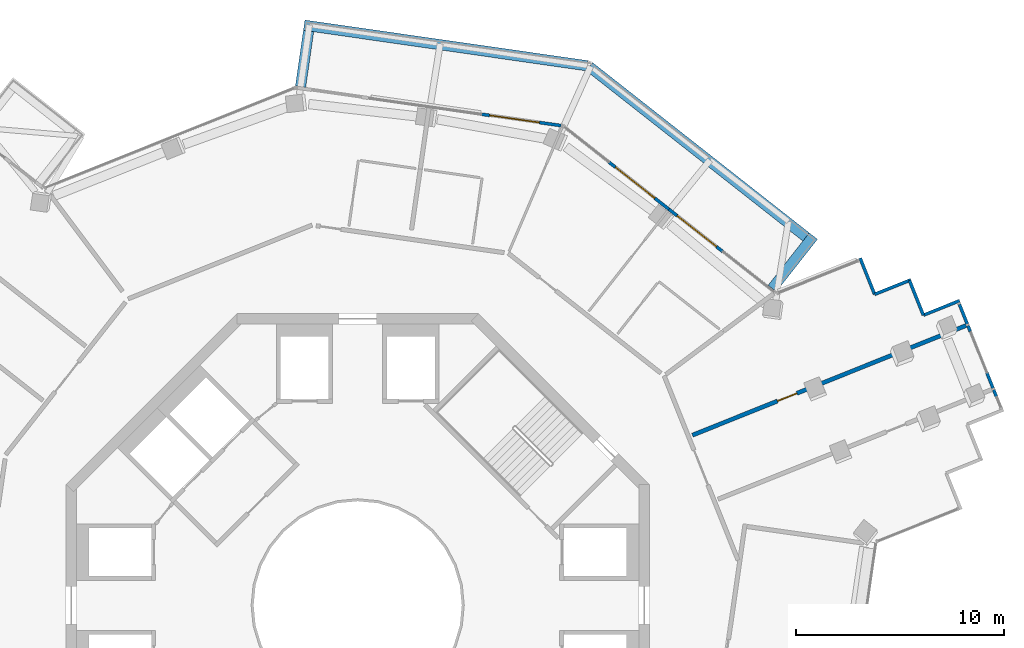
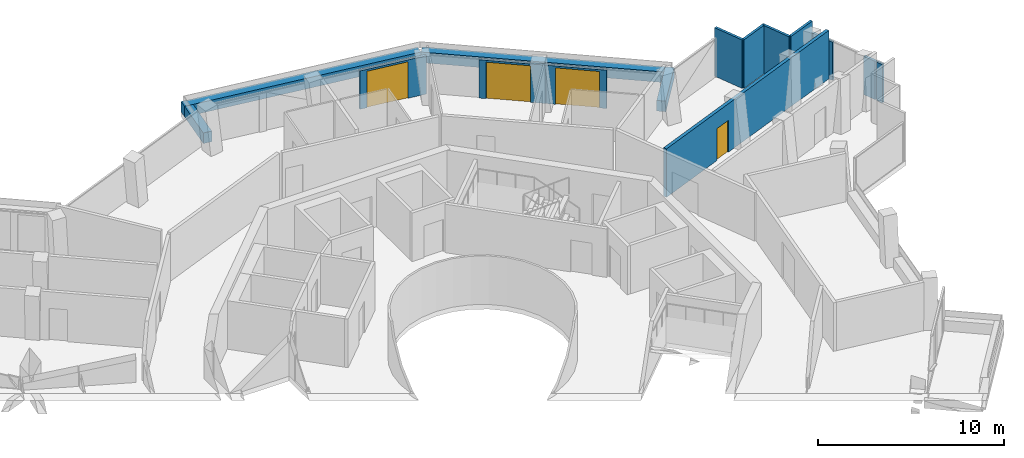
# One storey, part 20 of 23: 16 walls, 4 doors, 4 openings.
"""IFC4 building model written with IfcOpenShell, lengths in metres."""

import ifcopenshell
import ifcopenshell.guid

model = None  # the IFC model being written
_history = None  # IfcOwnerHistory: only IFC2X3 demands one
_inside = {}  # id of a spatial element -> (the spatial element, [elements in it])
_under = {}  # id of a project, library or spatial element -> (it, [spatial elements below it])
_declared = {}  # id of a project -> (the project, [libraries it declares])
_typed = {}  # id of a type object -> (the type object, [elements of that type])
_made_of = {}  # id of a material, layer set ... -> (it, [elements and type objects made of it])


def new_model(schema):
    """Start an empty IFC model of exactly this schema.

    Asked for "IFC4X3", IfcOpenShell would pick the latest addendum, in which some entities
    have other attributes; the version numbers below select the first issue.
    IFC2X3 requires an IfcOwnerHistory on every rooted entity: one is made here for all.
    """
    global model, _history
    if schema == "IFC4X3":
        model = ifcopenshell.file(schema_version=(4, 3, 0, 0))
    else:
        model = ifcopenshell.file(schema=schema)
    _inside.clear()
    _under.clear()
    _declared.clear()
    _typed.clear()
    _made_of.clear()
    _history = None
    if model.schema == "IFC2X3":
        org = make("IfcOrganization", Name="unknown")
        user = make(
            "IfcPersonAndOrganization",
            ThePerson=make("IfcPerson", FamilyName="unknown"),
            TheOrganization=org,
        )
        app = make(
            "IfcApplication",
            ApplicationDeveloper=org,
            Version="unknown",
            ApplicationFullName="unknown",
            ApplicationIdentifier="unknown",
        )
        _history = make(
            "IfcOwnerHistory",
            OwningUser=user,
            OwningApplication=app,
            ChangeAction="ADDED",
            CreationDate=0,
        )
    return model


def make(cls, **values):
    """One entity of the class cls with the attributes given. An attribute that is None is left unset."""
    return model.create_entity(
        cls, **{name: value for name, value in values.items() if value is not None}
    )


def rooted(cls, **values):
    """An entity with a GlobalId (a new one), such as an element, a storey or a relation."""
    return make(cls, GlobalId=ifcopenshell.guid.new(), OwnerHistory=_history, **values)


def si_unit(unit_type, name, prefix=None):
    """IfcSIUnit, for example si_unit("LENGTHUNIT", "METRE", prefix="MILLI")."""
    return make("IfcSIUnit", UnitType=unit_type, Prefix=prefix, Name=name)


def assignment(units):
    """IfcUnitAssignment: the units of a project."""
    return None if units is None else make("IfcUnitAssignment", Units=units)


def point(xyz):
    """IfcCartesianPoint."""
    return None if xyz is None else make("IfcCartesianPoint", Coordinates=xyz)


def direction(xyz):
    """IfcDirection."""
    return None if xyz is None else make("IfcDirection", DirectionRatios=xyz)


def frame(location, z_axis=None, x_axis=None):
    """IfcAxis2Placement3D, a coordinate frame: its origin and axes. An axis left out is left unset."""
    return make(
        "IfcAxis2Placement3D",
        Location=point(location),
        Axis=direction(z_axis),
        RefDirection=direction(x_axis),
    )


def frame_2d(location, x_axis=None):
    """IfcAxis2Placement2D, a coordinate frame in the plane: its origin and x axis."""
    return make(
        "IfcAxis2Placement2D", Location=point(location), RefDirection=direction(x_axis)
    )


def origin():
    """The frame at (0, 0, 0) with its axes left unset."""
    return frame((0.0, 0.0, 0.0))


def place(relative_to, where):
    """IfcLocalPlacement: puts the frame where relative to a parent placement (None: the world)."""
    return make(
        "IfcLocalPlacement", PlacementRelTo=relative_to, RelativePlacement=where
    )


def context(
    kind, dimensions, precision=None, world=None, true_north=None, identifier=None
):
    """IfcGeometricRepresentationContext, for example the 3D "Model" context."""
    return make(
        "IfcGeometricRepresentationContext",
        ContextIdentifier=identifier,
        ContextType=kind,
        CoordinateSpaceDimension=dimensions,
        Precision=precision,
        WorldCoordinateSystem=world,
        TrueNorth=true_north,
    )


def subcontext(parent, identifier, kind, view, scale=None):
    """IfcGeometricRepresentationSubContext, for example "Body" below "Model"."""
    return make(
        "IfcGeometricRepresentationSubContext",
        ContextIdentifier=identifier,
        ContextType=kind,
        ParentContext=parent,
        TargetScale=scale,
        TargetView=view,
    )


def project(units=None, contexts=None):
    """IfcProject with its units and contexts."""
    return rooted(
        "IfcProject",
        Name="project",
        RepresentationContexts=contexts,
        UnitsInContext=assignment(units),
    )


def spatial(cls, under=None, at=None, **own):
    """A site, building, storey or space (cls), placed at a placement, below another one or the project."""
    s = rooted(cls, ObjectPlacement=at, **own)
    if under is not None:
        _under.setdefault(under.id(), (under, []))[1].append(s)
    return s


def profile(cls, at=None, kind="AREA", **sizes):
    """A parametric profile (cls). Its sizes go by their IFC names, for example OverallWidth=200.0."""
    return make(cls, ProfileType=kind, Position=at, **sizes)


def rectangle(**sizes):
    """IfcRectangleProfileDef."""
    return profile("IfcRectangleProfileDef", **sizes)


def extrude(swept, where, along, depth):
    """IfcExtrudedAreaSolid: the profile swept, set in the frame where, extruded along a direction by depth."""
    return make(
        "IfcExtrudedAreaSolid",
        SweptArea=swept,
        Position=where,
        ExtrudedDirection=direction(along),
        Depth=depth,
    )


def shape(context_of_items, identifier, shape_type, items):
    """IfcShapeRepresentation: the items that make up one representation, for example the "Body"."""
    return make(
        "IfcShapeRepresentation",
        ContextOfItems=context_of_items,
        RepresentationIdentifier=identifier,
        RepresentationType=shape_type,
        Items=items,
    )


def material(Name=None, Category=None):
    """IfcMaterial."""
    return make("IfcMaterial", Name=Name, Category=Category)


def layer(
    of_material, thickness, ventilated=None, Name=None, Category=None, Priority=None
):
    """IfcMaterialLayer: one layer of a wall or slab, of a material (None: an air gap)."""
    return make(
        "IfcMaterialLayer",
        Material=of_material,
        LayerThickness=thickness,
        IsVentilated=ventilated,
        Name=Name,
        Category=Category,
        Priority=Priority,
    )


def layer_set(layers, Name=None):
    """IfcMaterialLayerSet."""
    return make("IfcMaterialLayerSet", MaterialLayers=layers, LayerSetName=Name)


def made_of(thing, what):
    """Note that an element or type object is made of a material, layer set ...; save() writes the relation."""
    if what is not None:
        _made_of.setdefault(what.id(), (what, []))[1].append(thing)
    return thing


def type_object(cls, material=None, **own):
    """A type object (cls), such as IfcWallType, which elements share."""
    return made_of(rooted(cls, **own), material)


def element(
    cls,
    number,
    at=None,
    inside=None,
    cuts=None,
    type_object=None,
    material=None,
    context=None,
    identifier="Body",
    shape_type=None,
    held_by="IfcProductDefinitionShape",
    body=None,
    shapes=None,
    **own,
):
    """One element of the class cls, such as IfcWall. Its Tag is "e" and its number.

    at: its placement. inside: the storey or other place that contains it. cuts: it is an
    opening in that element (IfcRelVoidsElement). A single representation is given by context,
    identifier, shape_type and body (its items); several are given by shapes. held_by: the class
    of the entity that holds the representations. save() writes the other relations.
    """
    e = rooted(cls, Tag="e%d" % number, ObjectPlacement=at, **own)
    if body is not None:
        shapes = [shape(context, identifier, shape_type, body)]
    if shapes is not None:
        e.Representation = make(held_by, Representations=shapes)
    if inside is not None:
        _inside.setdefault(inside.id(), (inside, []))[1].append(e)
    if cuts is not None:
        rooted(
            "IfcRelVoidsElement", RelatingBuildingElement=cuts, RelatedOpeningElement=e
        )
    if type_object is not None:
        _typed.setdefault(type_object.id(), (type_object, []))[1].append(e)
    return made_of(e, material)


def fill(opening, filler):
    """IfcRelFillsElement: the door or window that sits in an opening."""
    return rooted(
        "IfcRelFillsElement",
        RelatingOpeningElement=opening,
        RelatedBuildingElement=filler,
    )


def aggregate(whole, parts):
    """IfcRelAggregates: a whole, such as a stair, and the parts it consists of."""
    return rooted("IfcRelAggregates", RelatingObject=whole, RelatedObjects=parts)


def save(model, path):
    """Write the relations noted so far, then the file.

    IfcRelAggregates (storeys below a building ...), IfcRelContainedInSpatialStructure (elements
    in a storey), IfcRelDefinesByType, IfcRelAssociatesMaterial and IfcRelDeclares: one each for
    every whole, place, type object, material and project.
    """
    for whole, parts in _under.values():
        aggregate(whole, parts)
    for where, things in _inside.values():
        rooted(
            "IfcRelContainedInSpatialStructure",
            RelatedElements=things,
            RelatingStructure=where,
        )
    for kind, things in _typed.values():
        rooted("IfcRelDefinesByType", RelatedObjects=things, RelatingType=kind)
    for what, things in _made_of.values():
        rooted("IfcRelAssociatesMaterial", RelatedObjects=things, RelatingMaterial=what)
    for by, libraries in _declared.values():
        rooted("IfcRelDeclares", RelatingContext=by, RelatedDefinitions=libraries)
    model.write(path)


model = new_model("IFC4")

# Units and contexts
model_context = context("Model", 3, precision=1e-05, world=origin(), true_north=direction((0.0, 1.0)))
body_context = subcontext(model_context, "Body", "Model", "MODEL_VIEW")
ifc_project = project(units=[si_unit("LENGTHUNIT", "METRE"), si_unit("AREAUNIT", "SQUARE_METRE"), si_unit("VOLUMEUNIT", "CUBIC_METRE"), si_unit("PLANEANGLEUNIT", "RADIAN"), si_unit("MASSUNIT", "GRAM", prefix="KILO")], contexts=[model_context])

# Site, building, storey
site_placement = place(None, origin())
site = spatial("IfcSite", under=ifc_project, at=site_placement, CompositionType="ELEMENT")
building_placement = place(site_placement, origin())
building = spatial("IfcBuilding", under=site, at=building_placement, Name="Verdalira Terraces Hotel", CompositionType="ELEMENT")
storey_placement = place(building_placement, frame((0.0, 0.0, 244.5)))
storey = spatial("IfcBuildingStorey", under=building, at=storey_placement, Name="L60", CompositionType="ELEMENT", Elevation=244.5)

# Walls
ifc_material_1 = material(Name="Concrete C40", Category="concrete")
ifc_layer_1 = layer(ifc_material_1, 0.5)
ifc_layer_set_1 = layer_set([ifc_layer_1], Name="Balcony planter trough with tree")
wall_type_1 = type_object("IfcWallType", Name="Balcony planter trough with tree", PredefinedType="SOLIDWALL", material=ifc_layer_set_1)
wall_1_placement = place(storey_placement, frame((19.903076, 15.213135, 0.0), z_axis=(0.0, 0.0, 1.0), x_axis=(0.617858626, 0.786289208, 0.0)))
element("IfcWall", 1, at=wall_1_placement, inside=storey, type_object=wall_type_1, Name="Balcony planter", PredefinedType="SOLIDWALL", context=body_context, shape_type="SweptSolid", body=[
    extrude(rectangle(XDim=3.198975, YDim=0.5, at=frame_2d((1.599609, 0.0))), origin(), (0.0, 0.0, 1.0), 0.699951),
])
wall_2_placement = place(storey_placement, frame((21.528564, 17.686523, 0.0), z_axis=(0.0, 0.0, 1.0), x_axis=(-0.78629143, 0.617855798, 0.0)))
element("IfcWall", 2, at=wall_2_placement, inside=storey, type_object=wall_type_1, Name="Balcony planter", PredefinedType="SOLIDWALL", context=body_context, shape_type="SweptSolid", body=[
    extrude(rectangle(XDim=13.223389, YDim=0.5, at=frame_2d((6.611816, 0.0))), origin(), (0.0, 0.0, 1.0), 0.699951),
])
wall_3_placement = place(storey_placement, frame((11.012207, 25.907471, 0.0), z_axis=(0.0, 0.0, 1.0), x_axis=(-0.98987428, 0.141946855, 0.0)))
element("IfcWall", 3, at=wall_3_placement, inside=storey, type_object=wall_type_1, Name="Balcony planter", PredefinedType="SOLIDWALL", context=body_context, shape_type="SweptSolid", body=[
    extrude(rectangle(XDim=13.723389, YDim=0.5, at=frame_2d((6.861816, 0.0))), origin(), (0.0, 0.0, 1.0), 0.699951),
])
wall_4_placement = place(storey_placement, frame((-2.360352, 27.57251, 0.0), z_axis=(0.0, 0.0, 1.0), x_axis=(-0.1419279, -0.989876998, 0.0)))
element("IfcWall", 4, at=wall_4_placement, inside=storey, type_object=wall_type_1, Name="Balcony planter", PredefinedType="SOLIDWALL", context=body_context, shape_type="SweptSolid", body=[
    extrude(rectangle(XDim=2.698975, YDim=0.5, at=frame_2d((1.349609, 0.0))), origin(), (0.0, 0.0, 1.0), 0.699951),
])

# Wall, opening, door
ifc_material_2 = material(Name="Fire-rated gypsum board wall")
ifc_layer_2 = layer(ifc_material_2, 0.199951171875)
ifc_layer_set_2 = layer_set([ifc_layer_2], Name="Demising wall 200 mm")
wall_type_2 = type_object("IfcWallType", Name="Demising wall 200 mm", PredefinedType="SOLIDWALL", material=ifc_layer_set_2)
wall_5_placement = place(storey_placement, frame((16.072754, 8.169678, 0.0), z_axis=(0.0, 0.0, 1.0), x_axis=(0.928226792, 0.372014816, 0.0)))
wall_5 = element("IfcWall", 5, at=wall_5_placement, inside=storey, type_object=wall_type_2, Name="Demising wall", PredefinedType="SOLIDWALL", context=body_context, shape_type="SweptSolid", body=[
    extrude(rectangle(XDim=14.160889, YDim=0.199951, at=frame_2d((7.080566, 0.0))), origin(), (0.0, 0.0, 1.0), 3.189941),
])
opening_1_placement = place(wall_5_placement, frame((4.399902, 0.0, 0.0)))
opening_1 = element("IfcOpeningElement", 6, at=opening_1_placement, cuts=wall_5, Name="Opening L60-121", PredefinedType="OPENING", context=body_context, shape_type="SweptSolid", body=[
    extrude(rectangle(XDim=1.0, YDim=2.100098, at=frame_2d((0.5, 1.050049))), frame((0.0, 0.109863, 0.0), z_axis=(0.0, -1.0, 0.0), x_axis=(1.0, 0.0, 0.0)), (0.0, 0.0, 1.0), 0.219971),
])
ifc_material_3 = material(Name="Timber fire door", Category="wood")
door_type_1 = type_object("IfcDoorType", Name="Public room door 1000 x 2100", OperationType="NOTDEFINED", PredefinedType="DOOR", material=ifc_material_3)
door_1_placement = place(opening_1_placement, origin())
door_1 = element("IfcDoor", 7, at=door_1_placement, inside=storey, type_object=door_type_1, Name="Public room door 6008", OperationType="SINGLE_SWING_LEFT", OverallHeight=2.10009765625, OverallWidth=1.0, PredefinedType="DOOR", context=body_context, shape_type="SweptSolid", body=[
    extrude(rectangle(XDim=1.0, YDim=2.100098, at=frame_2d((0.5, 1.050049))), frame((0.0, 0.024902, 0.0), z_axis=(0.0, -1.0, 0.0), x_axis=(1.0, 0.0, 0.0)), (0.0, 0.0, 1.0), 0.050049),
])
fill(opening_1, door_1)

# Walls
ifc_material_4 = material(Name="Terracotta cladding", Category="masonry")
ifc_layer_3 = layer(ifc_material_4, 0.14990234375)
ifc_layer_set_3 = layer_set([ifc_layer_3], Name="Terracotta clad wall 150")
wall_type_3 = type_object("IfcWallType", Name="Terracotta clad wall 150", PredefinedType="SOLIDWALL", material=ifc_layer_set_3)
wall_6_placement = place(storey_placement, frame((28.9021, 14.626953, 0.0), z_axis=(0.0, 0.0, 1.0), x_axis=(-0.928234042, -0.371996726, 0.0)))
element("IfcWall", 8, at=wall_6_placement, inside=storey, type_object=wall_type_3, Name="Terracotta cladding wall", PredefinedType="SOLIDWALL", context=body_context, shape_type="SweptSolid", body=[
    extrude(rectangle(XDim=1.875, YDim=0.149902, at=frame_2d((0.9375, 0.0))), origin(), (0.0, 0.0, 1.0), 3.189941),
])
wall_7_placement = place(storey_placement, frame((27.161621, 13.929443, 0.0), z_axis=(0.0, 0.0, 1.0), x_axis=(-0.371951918, 0.928251997, 0.0)))
element("IfcWall", 9, at=wall_7_placement, inside=storey, type_object=wall_type_3, Name="Terracotta cladding wall", PredefinedType="SOLIDWALL", context=body_context, shape_type="SweptSolid", body=[
    extrude(rectangle(XDim=1.799805, YDim=0.149902, at=frame_2d((0.899902, 0.0))), origin(), (0.0, 0.0, 1.0), 3.189941),
])
wall_8_placement = place(storey_placement, frame((26.561768, 15.628174, 0.0), z_axis=(0.0, 0.0, 1.0), x_axis=(-0.928189077, -0.372108905, 0.0)))
element("IfcWall", 10, at=wall_8_placement, inside=storey, type_object=wall_type_3, Name="Terracotta cladding wall", PredefinedType="SOLIDWALL", context=body_context, shape_type="SweptSolid", body=[
    extrude(rectangle(XDim=1.875244, YDim=0.149902, at=frame_2d((0.9375, 0.0))), origin(), (0.0, 0.0, 1.0), 3.189941),
])
wall_9_placement = place(storey_placement, frame((24.821289, 14.93042, 0.0), z_axis=(0.0, 0.0, 1.0), x_axis=(-0.371996726, 0.928234042, 0.0)))
element("IfcWall", 11, at=wall_9_placement, inside=storey, type_object=wall_type_3, Name="Terracotta cladding wall", PredefinedType="SOLIDWALL", context=body_context, shape_type="SweptSolid", body=[
    extrude(rectangle(XDim=1.875, YDim=0.149902, at=frame_2d((0.9375, 0.0))), origin(), (0.0, 0.0, 1.0), 3.189941),
])
ifc_material_5 = material(Name="Terracotta cladding", Category="masonry")
ifc_layer_4 = layer(ifc_material_5, 0.14990234375)
ifc_layer_set_4 = layer_set([ifc_layer_4], Name="Terracotta column pier 150")
wall_type_4 = type_object("IfcWallType", Name="Terracotta column pier 150", PredefinedType="SOLIDWALL", material=ifc_layer_set_4)
wall_10_placement = place(storey_placement, frame((30.687012, 9.97168, 0.0), z_axis=(0.0, 0.0, 1.0), x_axis=(-0.371493484, 0.928435561, 0.0)))
element("IfcWall", 12, at=wall_10_placement, inside=storey, type_object=wall_type_4, Name="Terracotta column pier", PredefinedType="SOLIDWALL", context=body_context, shape_type="SweptSolid", body=[
    extrude(rectangle(XDim=0.409424, YDim=0.149902, at=frame_2d((0.20459, 0.0))), origin(), (0.0, 0.0, 1.0), 2.524902),
])
wall_11_placement = place(storey_placement, frame((30.505127, 10.426025, 0.0), z_axis=(0.0, 0.0, 1.0), x_axis=(-0.372185378, 0.928158416, 0.0)))
element("IfcWall", 13, at=wall_11_placement, inside=storey, type_object=wall_type_4, Name="Terracotta column pier", PredefinedType="SOLIDWALL", context=body_context, shape_type="SweptSolid", body=[
    extrude(rectangle(XDim=0.794434, YDim=0.149902, at=frame_2d((0.397217, 0.0))), origin(), (0.0, 0.0, 1.0), 2.524902),
])
wall_12_placement = place(storey_placement, frame((29.41333, 13.150146, 0.0), z_axis=(0.0, 0.0, 1.0), x_axis=(-0.372092473, 0.928195665, 0.0)))
element("IfcWall", 14, at=wall_12_placement, inside=storey, type_object=wall_type_4, Name="Terracotta column pier", PredefinedType="SOLIDWALL", context=body_context, shape_type="SweptSolid", body=[
    extrude(rectangle(XDim=0.299805, YDim=0.149902, at=frame_2d((0.149902, 0.0))), origin(), (0.0, 0.0, 1.0), 2.524902),
])
wall_13_placement = place(storey_placement, frame((29.271973, 13.502686, 0.0), z_axis=(0.0, 0.0, 1.0), x_axis=(-0.372128975, 0.928181031, 0.0)))
element("IfcWall", 15, at=wall_13_placement, inside=storey, type_object=wall_type_4, Name="Terracotta column pier", PredefinedType="SOLIDWALL", context=body_context, shape_type="SweptSolid", body=[
    extrude(rectangle(XDim=1.026123, YDim=0.149902, at=frame_2d((0.513184, 0.0))), origin(), (0.0, 0.0, 1.0), 2.524902),
])

# Wall, opening, door
ifc_material_6 = material(Name="Terracotta cladding", Category="masonry")
ifc_layer_5 = layer(ifc_material_6, 0.14990234375)
ifc_layer_set_5 = layer_set([ifc_layer_5], Name="Terracotta door pier 150")
wall_type_5 = type_object("IfcWallType", Name="Terracotta door pier 150", PredefinedType="SOLIDWALL", material=ifc_layer_set_5)
wall_14_placement = place(storey_placement, frame((17.536621, 16.976074, 0.0), z_axis=(0.0, 0.0, 1.0), x_axis=(-0.786266993, 0.617886896, 0.0)))
wall_14 = element("IfcWall", 16, at=wall_14_placement, inside=storey, type_object=wall_type_5, Name="Terracotta door pier", PredefinedType="SOLIDWALL", context=body_context, shape_type="SweptSolid", body=[
    extrude(rectangle(XDim=3.300049, YDim=0.149902, at=frame_2d((1.649902, 0.0))), origin(), (0.0, 0.0, 1.0), 2.524902),
])
opening_2_placement = place(wall_14_placement, frame((0.399902, 0.0, 0.0)))
opening_2 = element("IfcOpeningElement", 17, at=opening_2_placement, cuts=wall_14, Name="Opening L60-B12", PredefinedType="OPENING", context=body_context, shape_type="SweptSolid", body=[
    extrude(rectangle(XDim=2.399902, YDim=2.399902, at=frame_2d((1.199951, 1.199951))), frame((0.0, 0.084961, 0.0), z_axis=(0.0, -1.0, 0.0), x_axis=(1.0, 0.0, 0.0)), (0.0, 0.0, 1.0), 0.169922),
])
ifc_material_7 = material(Name="Clear glass", Category="glass")
door_type_2 = type_object("IfcDoorType", Name="Balcony sliding door 2400x2400", OperationType="NOTDEFINED", PredefinedType="DOOR", material=ifc_material_7)
door_2_placement = place(opening_2_placement, origin())
door_2 = element("IfcDoor", 18, at=door_2_placement, inside=storey, type_object=door_type_2, Name="Balcony sliding door", OperationType="SLIDING_TO_RIGHT", OverallHeight=2.39990234375, OverallWidth=2.39990234375, PredefinedType="DOOR", context=body_context, shape_type="SweptSolid", body=[
    extrude(rectangle(XDim=2.399902, YDim=2.399902, at=frame_2d((1.199951, 1.199951))), frame((0.0, 0.024902, 0.0), z_axis=(0.0, -1.0, 0.0), x_axis=(1.0, 0.0, 0.0)), (0.0, 0.0, 1.0), 0.050049),
])
fill(opening_2, door_2)

wall_15_placement = place(storey_placement, frame((14.941895, 19.015137, 0.0), z_axis=(0.0, 0.0, 1.0), x_axis=(-0.786290572, 0.61785689, 0.0)))
wall_15 = element("IfcWall", 19, at=wall_15_placement, inside=storey, type_object=wall_type_5, Name="Terracotta door pier", PredefinedType="SOLIDWALL", context=body_context, shape_type="SweptSolid", body=[
    extrude(rectangle(XDim=3.661377, YDim=0.149902, at=frame_2d((1.830566, 0.0))), origin(), (0.0, 0.0, 1.0), 2.524902),
])
opening_3_placement = place(wall_15_placement, frame((0.861328, 0.0, 0.0)))
opening_3 = element("IfcOpeningElement", 20, at=opening_3_placement, cuts=wall_15, Name="Opening L60-B13", PredefinedType="OPENING", context=body_context, shape_type="SweptSolid", body=[
    extrude(rectangle(XDim=2.399902, YDim=2.399902, at=frame_2d((1.199951, 1.199951))), frame((0.0, 0.084961, 0.0), z_axis=(0.0, -1.0, 0.0), x_axis=(1.0, 0.0, 0.0)), (0.0, 0.0, 1.0), 0.169922),
])
door_3_placement = place(opening_3_placement, origin())
door_3 = element("IfcDoor", 21, at=door_3_placement, inside=storey, type_object=door_type_2, Name="Balcony sliding door", OperationType="SLIDING_TO_LEFT", OverallHeight=2.39990234375, OverallWidth=2.39990234375, PredefinedType="DOOR", context=body_context, shape_type="SweptSolid", body=[
    extrude(rectangle(XDim=2.399902, YDim=2.399902, at=frame_2d((1.199951, 1.199951))), frame((0.0, 0.024902, 0.0), z_axis=(0.0, -1.0, 0.0), x_axis=(1.0, 0.0, 0.0)), (0.0, 0.0, 1.0), 0.050049),
])
fill(opening_3, door_3)

wall_16_placement = place(storey_placement, frame((9.767578, 23.030029, 0.0), z_axis=(0.0, 0.0, 1.0), x_axis=(-0.989874782, 0.141943354, 0.0)))
wall_16 = element("IfcWall", 22, at=wall_16_placement, inside=storey, type_object=wall_type_5, Name="Terracotta door pier", PredefinedType="SOLIDWALL", context=body_context, shape_type="SweptSolid", body=[
    extrude(rectangle(XDim=3.863037, YDim=0.149902, at=frame_2d((1.931641, 0.0))), origin(), (0.0, 0.0, 1.0), 2.524902),
])
opening_4_placement = place(wall_16_placement, frame((1.062988, 0.0, 0.0)))
opening_4 = element("IfcOpeningElement", 23, at=opening_4_placement, cuts=wall_16, Name="Opening L60-B14", PredefinedType="OPENING", context=body_context, shape_type="SweptSolid", body=[
    extrude(rectangle(XDim=2.399902, YDim=2.399902, at=frame_2d((1.199951, 1.199951))), frame((0.0, 0.084961, 0.0), z_axis=(0.0, -1.0, 0.0), x_axis=(1.0, 0.0, 0.0)), (0.0, 0.0, 1.0), 0.169922),
])
door_4_placement = place(opening_4_placement, origin())
door_4 = element("IfcDoor", 24, at=door_4_placement, inside=storey, type_object=door_type_2, Name="Balcony sliding door", OperationType="SLIDING_TO_LEFT", OverallHeight=2.39990234375, OverallWidth=2.39990234375, PredefinedType="DOOR", context=body_context, shape_type="SweptSolid", body=[
    extrude(rectangle(XDim=2.399902, YDim=2.399902, at=frame_2d((1.199951, 1.199951))), frame((0.0, 0.024902, 0.0), z_axis=(0.0, -1.0, 0.0), x_axis=(1.0, 0.0, 0.0)), (0.0, 0.0, 1.0), 0.050049),
])
fill(opening_4, door_4)

save(model, "model.ifc")
